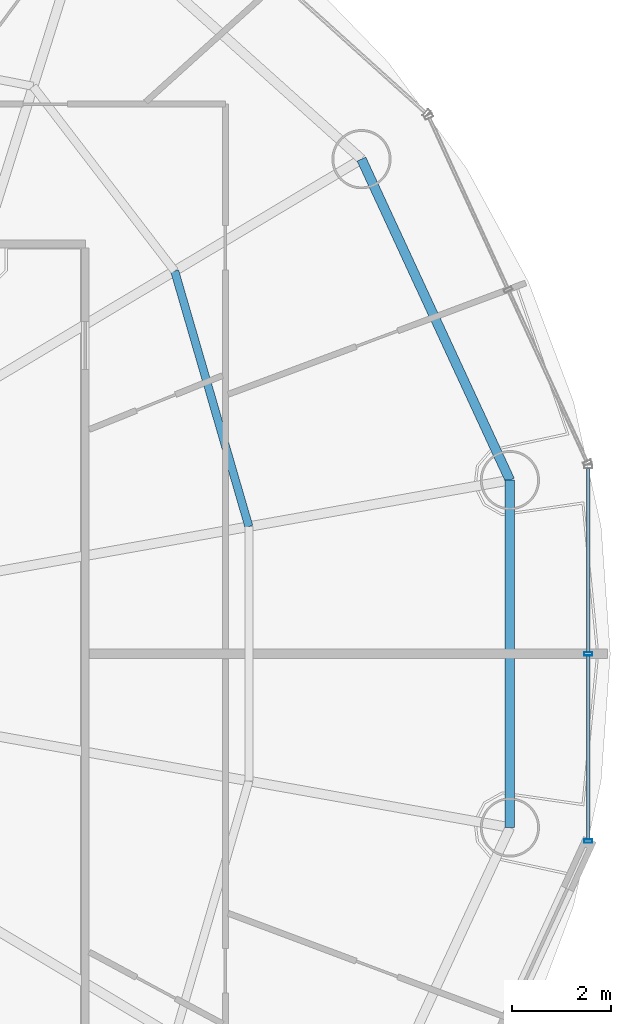
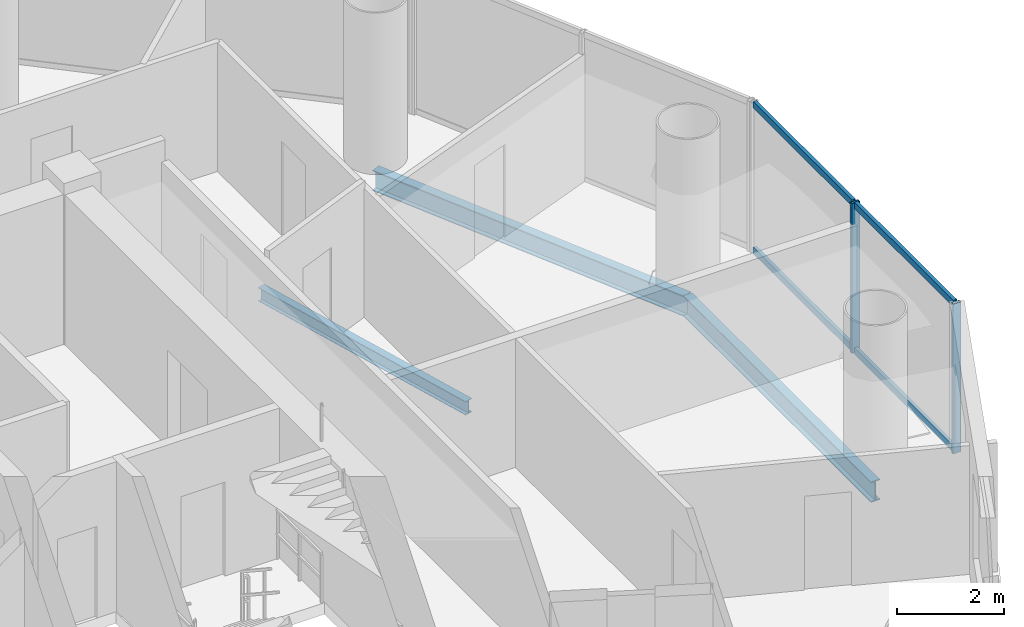
# One storey, part 12 of 26: 6 members, 3 beams, 1 element without a shape of its own.
"""IFC4 building model written with IfcOpenShell, lengths in metres."""

import ifcopenshell
import ifcopenshell.guid

model = None  # the IFC model being written
_history = None  # IfcOwnerHistory: only IFC2X3 demands one
_inside = {}  # id of a spatial element -> (the spatial element, [elements in it])
_under = {}  # id of a project, library or spatial element -> (it, [spatial elements below it])
_declared = {}  # id of a project -> (the project, [libraries it declares])
_typed = {}  # id of a type object -> (the type object, [elements of that type])
_made_of = {}  # id of a material, layer set ... -> (it, [elements and type objects made of it])


def new_model(schema):
    """Start an empty IFC model of exactly this schema.

    Asked for "IFC4X3", IfcOpenShell would pick the latest addendum, in which some entities
    have other attributes; the version numbers below select the first issue.
    IFC2X3 requires an IfcOwnerHistory on every rooted entity: one is made here for all.
    """
    global model, _history
    if schema == "IFC4X3":
        model = ifcopenshell.file(schema_version=(4, 3, 0, 0))
    else:
        model = ifcopenshell.file(schema=schema)
    _inside.clear()
    _under.clear()
    _declared.clear()
    _typed.clear()
    _made_of.clear()
    _history = None
    if model.schema == "IFC2X3":
        org = make("IfcOrganization", Name="unknown")
        user = make(
            "IfcPersonAndOrganization",
            ThePerson=make("IfcPerson", FamilyName="unknown"),
            TheOrganization=org,
        )
        app = make(
            "IfcApplication",
            ApplicationDeveloper=org,
            Version="unknown",
            ApplicationFullName="unknown",
            ApplicationIdentifier="unknown",
        )
        _history = make(
            "IfcOwnerHistory",
            OwningUser=user,
            OwningApplication=app,
            ChangeAction="ADDED",
            CreationDate=0,
        )
    return model


def make(cls, **values):
    """One entity of the class cls with the attributes given. An attribute that is None is left unset."""
    return model.create_entity(
        cls, **{name: value for name, value in values.items() if value is not None}
    )


def rooted(cls, **values):
    """An entity with a GlobalId (a new one), such as an element, a storey or a relation."""
    return make(cls, GlobalId=ifcopenshell.guid.new(), OwnerHistory=_history, **values)


def si_unit(unit_type, name, prefix=None):
    """IfcSIUnit, for example si_unit("LENGTHUNIT", "METRE", prefix="MILLI")."""
    return make("IfcSIUnit", UnitType=unit_type, Prefix=prefix, Name=name)


def assignment(units):
    """IfcUnitAssignment: the units of a project."""
    return None if units is None else make("IfcUnitAssignment", Units=units)


def point(xyz):
    """IfcCartesianPoint."""
    return None if xyz is None else make("IfcCartesianPoint", Coordinates=xyz)


def direction(xyz):
    """IfcDirection."""
    return None if xyz is None else make("IfcDirection", DirectionRatios=xyz)


def frame(location, z_axis=None, x_axis=None):
    """IfcAxis2Placement3D, a coordinate frame: its origin and axes. An axis left out is left unset."""
    return make(
        "IfcAxis2Placement3D",
        Location=point(location),
        Axis=direction(z_axis),
        RefDirection=direction(x_axis),
    )


def frame_2d(location, x_axis=None):
    """IfcAxis2Placement2D, a coordinate frame in the plane: its origin and x axis."""
    return make(
        "IfcAxis2Placement2D", Location=point(location), RefDirection=direction(x_axis)
    )


def origin():
    """The frame at (0, 0, 0) with its axes left unset."""
    return frame((0.0, 0.0, 0.0))


def origin_2d():
    """The frame at (0, 0) in the plane with its x axis left unset."""
    return frame_2d((0.0, 0.0))


def place(relative_to, where):
    """IfcLocalPlacement: puts the frame where relative to a parent placement (None: the world)."""
    return make(
        "IfcLocalPlacement", PlacementRelTo=relative_to, RelativePlacement=where
    )


def context(
    kind, dimensions, precision=None, world=None, true_north=None, identifier=None
):
    """IfcGeometricRepresentationContext, for example the 3D "Model" context."""
    return make(
        "IfcGeometricRepresentationContext",
        ContextIdentifier=identifier,
        ContextType=kind,
        CoordinateSpaceDimension=dimensions,
        Precision=precision,
        WorldCoordinateSystem=world,
        TrueNorth=true_north,
    )


def subcontext(parent, identifier, kind, view, scale=None):
    """IfcGeometricRepresentationSubContext, for example "Body" below "Model"."""
    return make(
        "IfcGeometricRepresentationSubContext",
        ContextIdentifier=identifier,
        ContextType=kind,
        ParentContext=parent,
        TargetScale=scale,
        TargetView=view,
    )


def project(units=None, contexts=None):
    """IfcProject with its units and contexts."""
    return rooted(
        "IfcProject",
        Name="project",
        RepresentationContexts=contexts,
        UnitsInContext=assignment(units),
    )


def spatial(cls, under=None, at=None, **own):
    """A site, building, storey or space (cls), placed at a placement, below another one or the project."""
    s = rooted(cls, ObjectPlacement=at, **own)
    if under is not None:
        _under.setdefault(under.id(), (under, []))[1].append(s)
    return s


def profile(cls, at=None, kind="AREA", **sizes):
    """A parametric profile (cls). Its sizes go by their IFC names, for example OverallWidth=200.0."""
    return make(cls, ProfileType=kind, Position=at, **sizes)


def hollow_rectangle(**sizes):
    """IfcRectangleHollowProfileDef."""
    return profile("IfcRectangleHollowProfileDef", **sizes)


def i_section(**sizes):
    """IfcIShapeProfileDef."""
    return profile("IfcIShapeProfileDef", **sizes)


def extrude(swept, where, along, depth):
    """IfcExtrudedAreaSolid: the profile swept, set in the frame where, extruded along a direction by depth."""
    return make(
        "IfcExtrudedAreaSolid",
        SweptArea=swept,
        Position=where,
        ExtrudedDirection=direction(along),
        Depth=depth,
    )


def shape(context_of_items, identifier, shape_type, items):
    """IfcShapeRepresentation: the items that make up one representation, for example the "Body"."""
    return make(
        "IfcShapeRepresentation",
        ContextOfItems=context_of_items,
        RepresentationIdentifier=identifier,
        RepresentationType=shape_type,
        Items=items,
    )


def source(mapping_origin, context_of_items, identifier, shape_type, items):
    """IfcRepresentationMap: a shape defined once, which mapped items show again and again."""
    return make(
        "IfcRepresentationMap",
        MappingOrigin=mapping_origin,
        MappedRepresentation=shape(context_of_items, identifier, shape_type, items),
    )


def transform(
    local_origin,
    x_axis=None,
    y_axis=None,
    z_axis=None,
    scale=None,
    scale2=None,
    scale3=None,
    uniform=True,
):
    """IfcCartesianTransformationOperator3D, or its non-uniform kind. x_axis, y_axis, z_axis: its Axis1, 2, 3."""
    if uniform:
        return make(
            "IfcCartesianTransformationOperator3D",
            Axis1=direction(x_axis),
            Axis2=direction(y_axis),
            LocalOrigin=point(local_origin),
            Scale=scale,
            Axis3=direction(z_axis),
        )
    return make(
        "IfcCartesianTransformationOperator3DnonUniform",
        Axis1=direction(x_axis),
        Axis2=direction(y_axis),
        LocalOrigin=point(local_origin),
        Scale=scale,
        Axis3=direction(z_axis),
        Scale2=scale2,
        Scale3=scale3,
    )


def mapped(mapping_source, mapping_target):
    """IfcMappedItem: shows the shape of a source again, moved by a transform."""
    return make(
        "IfcMappedItem", MappingSource=mapping_source, MappingTarget=mapping_target
    )


def material(Name=None, Category=None):
    """IfcMaterial."""
    return make("IfcMaterial", Name=Name, Category=Category)


def material_profile(
    of_material, cross_section, Name=None, Category=None, Priority=None
):
    """IfcMaterialProfile: a cross section and its material."""
    return make(
        "IfcMaterialProfile",
        Name=Name,
        Material=of_material,
        Profile=cross_section,
        Priority=Priority,
        Category=Category,
    )


def profile_set(profiles, Name=None, composite=None):
    """IfcMaterialProfileSet."""
    return make(
        "IfcMaterialProfileSet",
        Name=Name,
        MaterialProfiles=profiles,
        CompositeProfile=composite,
    )


def made_of(thing, what):
    """Note that an element or type object is made of a material, layer set ...; save() writes the relation."""
    if what is not None:
        _made_of.setdefault(what.id(), (what, []))[1].append(thing)
    return thing


def type_object(cls, material=None, **own):
    """A type object (cls), such as IfcWallType, which elements share."""
    return made_of(rooted(cls, **own), material)


def element(
    cls,
    number,
    at=None,
    inside=None,
    cuts=None,
    type_object=None,
    material=None,
    context=None,
    identifier="Body",
    shape_type=None,
    held_by="IfcProductDefinitionShape",
    body=None,
    shapes=None,
    **own,
):
    """One element of the class cls, such as IfcWall. Its Tag is "e" and its number.

    at: its placement. inside: the storey or other place that contains it. cuts: it is an
    opening in that element (IfcRelVoidsElement). A single representation is given by context,
    identifier, shape_type and body (its items); several are given by shapes. held_by: the class
    of the entity that holds the representations. save() writes the other relations.
    """
    e = rooted(cls, Tag="e%d" % number, ObjectPlacement=at, **own)
    if body is not None:
        shapes = [shape(context, identifier, shape_type, body)]
    if shapes is not None:
        e.Representation = make(held_by, Representations=shapes)
    if inside is not None:
        _inside.setdefault(inside.id(), (inside, []))[1].append(e)
    if cuts is not None:
        rooted(
            "IfcRelVoidsElement", RelatingBuildingElement=cuts, RelatedOpeningElement=e
        )
    if type_object is not None:
        _typed.setdefault(type_object.id(), (type_object, []))[1].append(e)
    return made_of(e, material)


def aggregate(whole, parts):
    """IfcRelAggregates: a whole, such as a stair, and the parts it consists of."""
    return rooted("IfcRelAggregates", RelatingObject=whole, RelatedObjects=parts)


def save(model, path):
    """Write the relations noted so far, then the file.

    IfcRelAggregates (storeys below a building ...), IfcRelContainedInSpatialStructure (elements
    in a storey), IfcRelDefinesByType, IfcRelAssociatesMaterial and IfcRelDeclares: one each for
    every whole, place, type object, material and project.
    """
    for whole, parts in _under.values():
        aggregate(whole, parts)
    for where, things in _inside.values():
        rooted(
            "IfcRelContainedInSpatialStructure",
            RelatedElements=things,
            RelatingStructure=where,
        )
    for kind, things in _typed.values():
        rooted("IfcRelDefinesByType", RelatedObjects=things, RelatingType=kind)
    for what, things in _made_of.values():
        rooted("IfcRelAssociatesMaterial", RelatedObjects=things, RelatingMaterial=what)
    for by, libraries in _declared.values():
        rooted("IfcRelDeclares", RelatingContext=by, RelatedDefinitions=libraries)
    model.write(path)


model = new_model("IFC4")

# Units and contexts
model_context = context("Model", 3, precision=1e-05, world=origin(), true_north=direction((-0.2419218956, 0.970295726276)))
body_context = subcontext(model_context, "Body", "Model", "MODEL_VIEW")
ifc_project = project(units=[si_unit("LENGTHUNIT", "METRE"), si_unit("AREAUNIT", "SQUARE_METRE"), si_unit("VOLUMEUNIT", "CUBIC_METRE"), si_unit("PLANEANGLEUNIT", "RADIAN"), si_unit("MASSUNIT", "GRAM", prefix="KILO")], contexts=[model_context])

# Site, building, storey
site_placement = place(None, origin())
site = spatial("IfcSite", under=ifc_project, at=site_placement, CompositionType="ELEMENT")
building_placement = place(site_placement, origin())
building = spatial("IfcBuilding", under=site, at=building_placement, Name="Cobrevalo Terracotta Tower", CompositionType="ELEMENT")
storey_placement = place(building_placement, frame((0.0, 0.0, 220.800048828125)))
storey = spatial("IfcBuildingStorey", under=building, at=storey_placement, Name="L58", CompositionType="ELEMENT", Elevation=220.800048828125)

# Beams
ifc_material_1 = material(Name="Steel S355", Category="steel")
ifc_material_profile_1 = material_profile(ifc_material_1, i_section(OverallWidth=0.1650390625, OverallDepth=0.31005859375, WebThickness=0.005859375, FlangeThickness=0.009765625, at=origin_2d()), Name="W 310x38.7")
ifc_profile_set_1 = profile_set([ifc_material_profile_1], Name="Steel S355")
beam_type_1 = type_object("IfcBeamType", Name="Structural Joist W 310x38.7 (Steel S355)", PredefinedType="JOIST", material=ifc_profile_set_1)
beam_1_placement = place(storey_placement, frame((52.471435546875, 29.378662109375, -0.420166015625), z_axis=(-0.278769817131, 0.960357948401, 0.0), x_axis=(-0.960357948401, -0.278769817131, 0.0)))
element("IfcBeam", 1, at=beam_1_placement, inside=storey, type_object=beam_type_1, Name="L58 circumferential secondary floor joist 01", PredefinedType="JOIST", context=body_context, shape_type="SweptSolid", body=[
    extrude(i_section(OverallWidth=0.1650390625, OverallDepth=0.31005859375, WebThickness=0.005859375, FlangeThickness=0.009765625, at=origin_2d()), origin(), (0.0, 0.0, 1.0), 5.396484375),
])
ifc_material_profile_2 = material_profile(ifc_material_1, i_section(OverallWidth=0.194091796875, OverallDepth=0.468994140625, WebThickness=0.011474609375, FlangeThickness=0.0205078125, at=origin_2d()), Name="W 460x106")
ifc_profile_set_2 = profile_set([ifc_material_profile_2], Name="Steel S355")
beam_type_2 = type_object("IfcBeamType", Name="Structural Spandrel W 460x106 (Steel S355)", PredefinedType="SPANDREL", material=ifc_profile_set_2)
beam_2_placement = place(storey_placement, frame((57.762939453125, 30.3212890625, -0.49951171875), z_axis=(-0.419705965131, 0.907660125176, 0.0), x_axis=(-0.907660125176, -0.419705965131, 0.0)))
element("IfcBeam", 2, at=beam_2_placement, inside=storey, type_object=beam_type_2, Name="L58 perimeter ring spandrel 01", PredefinedType="SPANDREL", context=body_context, shape_type="SweptSolid", body=[
    extrude(i_section(OverallWidth=0.194091796875, OverallDepth=0.468994140625, WebThickness=0.011474609375, FlangeThickness=0.0205078125, at=origin_2d()), origin(), (0.0, 0.0, 1.0), 7.168701171875),
])
beam_3_placement = place(storey_placement, frame((57.762939453125, 23.278564453125, -0.49951171875), z_axis=(0.0, 1.0, 0.0), x_axis=(-1.0, 0.0, 0.0)))
element("IfcBeam", 3, at=beam_3_placement, inside=storey, type_object=beam_type_2, Name="L58 perimeter ring spandrel 16", PredefinedType="SPANDREL", context=body_context, shape_type="SweptSolid", body=[
    extrude(i_section(OverallWidth=0.194091796875, OverallDepth=0.468994140625, WebThickness=0.011474609375, FlangeThickness=0.0205078125, at=origin_2d()), origin(), (0.0, 0.0, 1.0), 7.042724609375),
])

# Curtain wall, members
ifc_material_2 = material(Name="Anodized aluminium", Category="aluminium")
curtain_wall_type = type_object("IfcCurtainWallType", Name="Mid-tower high-wind unitised curtain wall CW-U2", PredefinedType="NOTDEFINED", material=ifc_material_2)
curtain_wall_placement = place(storey_placement, origin())
curtain_wall = element("IfcCurtainWall", 4, at=curtain_wall_placement, inside=storey, type_object=curtain_wall_type, Name="L58 curtain wall CW-L58-S16", PredefinedType="NOTDEFINED")
ifc_material_profile_3 = material_profile(ifc_material_2, hollow_rectangle(XDim=0.074951171875, YDim=0.14990234375, WallThickness=0.00439453125, at=origin_2d()), Name="CWT 75x150")
ifc_profile_set_3 = profile_set([ifc_material_profile_3], Name="Anodized aluminium")
member_type_1 = type_object("IfcMemberType", Name="Tower unitised aluminium transom 75x150", PredefinedType="USERDEFINED", material=ifc_profile_set_3)
shared_shape_1 = source(origin(), body_context, "Body", "SweptSolid", [
    extrude(hollow_rectangle(XDim=0.074951171875, YDim=0.14990234375, WallThickness=0.00439453125, at=origin_2d()), origin(), (0.0, 0.0, 1.0), 3.71728515625),
])
member_1_placement = place(storey_placement, frame((59.351806640625, 26.840087890625, 0.050048828125), z_axis=(0.0, 1.0, 0.0), x_axis=(-1.0, 0.0, 0.0)))
member_1 = element("IfcMember", 5, at=member_1_placement, type_object=member_type_1, Name="CW-L58-S16 transom B02-T1", ObjectType="TRANSOM", PredefinedType="USERDEFINED", context=body_context, shape_type="MappedRepresentation", body=[
    mapped(shared_shape_1, transform((0.0, 0.0, 0.0), scale=1.0)),
])
member_2_placement = place(storey_placement, frame((59.351806640625, 26.840087890625, 3.385009765625), z_axis=(0.0, 1.0, 0.0), x_axis=(-1.0, 0.0, 0.0)))
member_2 = element("IfcMember", 6, at=member_2_placement, type_object=member_type_1, Name="CW-L58-S16 transom B02-T2", ObjectType="TRANSOM", PredefinedType="USERDEFINED", context=body_context, shape_type="MappedRepresentation", body=[
    mapped(shared_shape_1, transform((0.0, 0.0, 0.0), scale=1.0)),
])
shared_shape_2 = source(origin(), body_context, "Body", "SweptSolid", [
    extrude(hollow_rectangle(XDim=0.074951171875, YDim=0.14990234375, WallThickness=0.00439453125, at=origin_2d()), origin(), (0.0, 0.0, 1.0), 3.717529296875),
])
member_3_placement = place(storey_placement, frame((59.351806640625, 23.04248046875, 0.050048828125), z_axis=(0.0, 1.0, 0.0), x_axis=(-1.0, 0.0, 0.0)))
member_3 = element("IfcMember", 7, at=member_3_placement, type_object=member_type_1, Name="CW-L58-S16 transom B01-T1", ObjectType="TRANSOM", PredefinedType="USERDEFINED", context=body_context, shape_type="MappedRepresentation", body=[
    mapped(shared_shape_2, transform((0.0, 0.0, 0.0), scale=1.0)),
])
member_4_placement = place(storey_placement, frame((59.351806640625, 23.04248046875, 3.385009765625), z_axis=(0.0, 1.0, 0.0), x_axis=(-1.0, 0.0, 0.0)))
member_4 = element("IfcMember", 8, at=member_4_placement, type_object=member_type_1, Name="CW-L58-S16 transom B01-T2", ObjectType="TRANSOM", PredefinedType="USERDEFINED", context=body_context, shape_type="MappedRepresentation", body=[
    mapped(shared_shape_2, transform((0.0, 0.0, 0.0), scale=1.0)),
])
ifc_material_profile_4 = material_profile(ifc_material_2, hollow_rectangle(XDim=0.070068359375, YDim=0.169921875, WallThickness=0.00439453125, at=origin_2d()), Name="CWM 70x170")
ifc_profile_set_4 = profile_set([ifc_material_profile_4], Name="Anodized aluminium")
member_type_2 = type_object("IfcMemberType", Name="Upper tower unitised mullion 70x170", PredefinedType="MULLION", material=ifc_profile_set_4)
shared_shape_3 = source(origin(), body_context, "Body", "SweptSolid", [
    extrude(hollow_rectangle(XDim=0.070068359375, YDim=0.169921875, WallThickness=0.00439453125, at=origin_2d()), origin(), (0.0, 0.0, 1.0), 3.43505859375),
])
member_5_placement = place(storey_placement, frame((59.351806640625, 23.002685546875, 0.0), z_axis=(0.0, 0.0, 1.0), x_axis=(0.0, 1.0, 0.0)))
member_5 = element("IfcMember", 9, at=member_5_placement, type_object=member_type_2, Name="CW-L58-S16 vertical mullion 01", PredefinedType="MULLION", context=body_context, shape_type="MappedRepresentation", body=[
    mapped(shared_shape_3, transform((0.0, 0.0, 0.0), scale=1.0)),
])
member_6_placement = place(storey_placement, frame((59.351806640625, 26.800048828125, 0.0), z_axis=(0.0, 0.0, 1.0), x_axis=(0.0, 1.0, 0.0)))
member_6 = element("IfcMember", 10, at=member_6_placement, type_object=member_type_2, Name="CW-L58-S16 vertical mullion 02", PredefinedType="MULLION", context=body_context, shape_type="MappedRepresentation", body=[
    mapped(shared_shape_3, transform((0.0, 0.0, 0.0), scale=1.0)),
])
aggregate(curtain_wall, [member_5, member_6, member_3, member_4, member_1, member_2])

save(model, "model.ifc")
